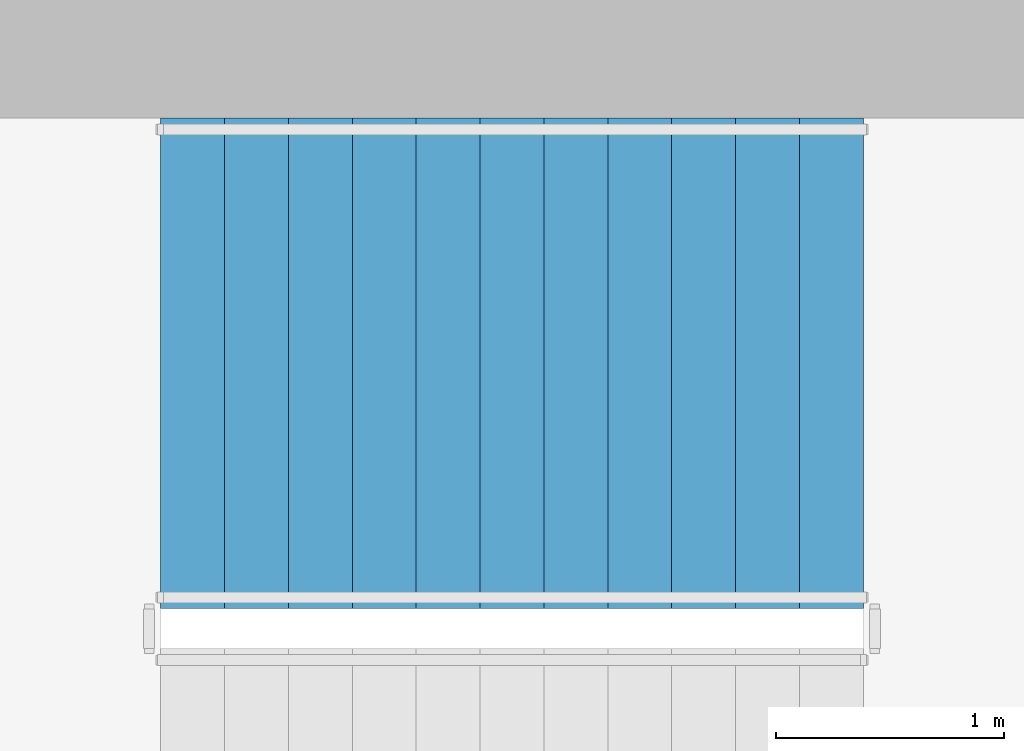
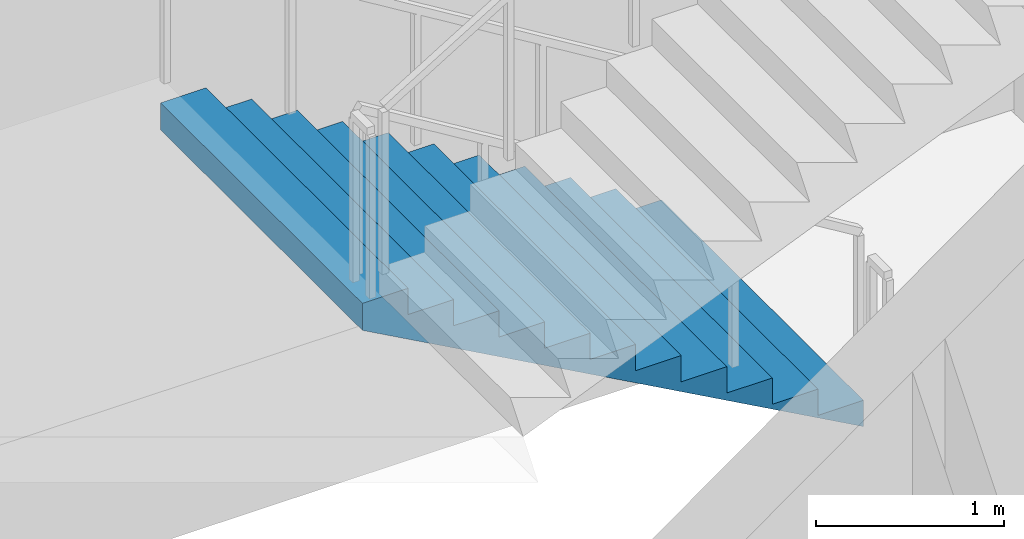
# One storey, part 10 of 16: 1 stair flight, 1 element without a shape of its own.
"""IFC4 building model written with IfcOpenShell, lengths in metres."""

from ifc_helpers import new_model, si_unit, direction, frame, origin, place, context, subcontext, project, spatial, triangles, material, type_object, element, aggregate, save


model = new_model("IFC4")

# Units and contexts
model_context = context("Model", 3, precision=1e-05, world=origin(), true_north=direction((0.0, 1.0)))
body_context = subcontext(model_context, "Body", "Model", "MODEL_VIEW")
ifc_project = project(units=[si_unit("LENGTHUNIT", "METRE"), si_unit("AREAUNIT", "SQUARE_METRE"), si_unit("VOLUMEUNIT", "CUBIC_METRE"), si_unit("PLANEANGLEUNIT", "RADIAN"), si_unit("MASSUNIT", "GRAM", prefix="KILO")], contexts=[model_context])

# Site, building, storey
site_placement = place(None, origin())
site = spatial("IfcSite", under=ifc_project, at=site_placement, CompositionType="ELEMENT")
building_placement = place(site_placement, origin())
building = spatial("IfcBuilding", under=site, at=building_placement, Name="Cypress Arch Tower", CompositionType="ELEMENT")
storey_placement = place(building_placement, frame((0.0, 0.0, 168.699951171875)))
storey = spatial("IfcBuildingStorey", under=building, at=storey_placement, Name="L36", CompositionType="ELEMENT", Elevation=168.699951171875)

# Stair, stair flight
ifc_material_1 = material(Name="Concrete C40/50", Category="concrete")
stair_type = type_object("IfcStairType", Name="Exit stair ES1708-215", PredefinedType="HALF_TURN_STAIR", material=ifc_material_1)
stair_placement = place(storey_placement, origin())
stair = element("IfcStair", 1, at=stair_placement, inside=storey, type_object=stair_type, Name="L36 Exit stair B", PredefinedType="HALF_TURN_STAIR")
ifc_material_2 = material(Name="Concrete C40/50", Category="concrete")
stair_flight_type = type_object("IfcStairFlightType", Name="Exit stair flight ES1708-215", PredefinedType="STRAIGHT", material=ifc_material_2)
stair_flight_placement = place(storey_placement, frame((-22.27490234375, 13.72509765625, 0.0), z_axis=(0.0, 0.0, 1.0), x_axis=(-1.0, 0.0, 0.0)))
stair_flight = element("IfcStairFlight", 2, at=stair_flight_placement, type_object=stair_flight_type, Name="B flight 1", NumberOfRisers=12, NumberOfTreads=11, PredefinedType="STRAIGHT", RiserHeight=0.170833333, TreadLength=0.28, context=body_context, shape_type="Tessellation", body=[
    triangles([(0.0, -1.074951171875, 0.0), (0.000244140625, -1.074951171875, 0.01904296875), (0.000244140625, -1.074951171875, 0.0380859375), (0.00048828125, -1.074951171875, 0.056884765625), (0.00048828125, -1.074951171875, 0.075927734375), (0.00048828125, -1.074951171875, 0.094970703125), (0.00048828125, -1.074951171875, 0.114013671875), (0.000244140625, -1.074951171875, 0.1328125), (0.000244140625, -1.074951171875, 0.15185546875), (0.0, -1.074951171875, 0.1708984375), (0.280029296875, -1.074951171875, 0.1708984375), (0.280029296875, -1.074951171875, 0.341552734375), (0.56005859375, -1.074951171875, 0.341552734375), (0.56005859375, -1.074951171875, 0.512451171875), (0.840087890625, -1.074951171875, 0.512451171875), (0.840087890625, -1.074951171875, 0.683349609375), (1.1201171875, -1.074951171875, 0.683349609375), (1.1201171875, -1.074951171875, 0.854248046875), (1.39990234375, -1.074951171875, 0.854248046875), (1.39990234375, -1.074951171875, 1.02490234375), (1.679931640625, -1.074951171875, 1.02490234375), (1.679931640625, -1.074951171875, 1.19580078125), (1.9599609375, -1.074951171875, 1.19580078125), (1.9599609375, -1.074951171875, 1.36669921875), (2.239990234375, -1.074951171875, 1.36669921875), (2.239990234375, -1.074951171875, 1.53759765625), (2.52001953125, -1.074951171875, 1.53759765625), (2.52001953125, -1.074951171875, 1.708251953125), (2.800048828125, -1.074951171875, 1.708251953125), (2.800048828125, -1.074951171875, 1.879150390625), (3.080078125, -1.074951171875, 1.879150390625), (3.079833984375, -1.074951171875, 1.859619140625), (3.079833984375, -1.074951171875, 1.840087890625), (3.07958984375, -1.074951171875, 1.820556640625), (3.07958984375, -1.074951171875, 1.801025390625), (3.07958984375, -1.074951171875, 1.78173828125), (3.07958984375, -1.074951171875, 1.76220703125), (3.079833984375, -1.074951171875, 1.74267578125), (3.079833984375, -1.074951171875, 1.72314453125), (3.080078125, -1.074951171875, 1.70361328125), (3.080078125, 1.074951171875, 1.70361328125), (3.079833984375, 1.074951171875, 1.72314453125), (3.079833984375, 1.074951171875, 1.74267578125), (3.07958984375, 1.074951171875, 1.76220703125), (3.07958984375, 1.074951171875, 1.78173828125), (3.07958984375, 1.074951171875, 1.801025390625), (3.07958984375, 1.074951171875, 1.820556640625), (3.079833984375, 1.074951171875, 1.840087890625), (3.079833984375, 1.074951171875, 1.859619140625), (3.080078125, 1.074951171875, 1.879150390625), (2.800048828125, 1.074951171875, 1.879150390625), (2.800048828125, 1.074951171875, 1.708251953125), (2.52001953125, 1.074951171875, 1.708251953125), (2.52001953125, 1.074951171875, 1.53759765625), (2.239990234375, 1.074951171875, 1.53759765625), (2.239990234375, 1.074951171875, 1.36669921875), (1.9599609375, 1.074951171875, 1.36669921875), (1.9599609375, 1.074951171875, 1.19580078125), (1.679931640625, 1.074951171875, 1.19580078125), (1.679931640625, 1.074951171875, 1.02490234375), (1.39990234375, 1.074951171875, 1.02490234375), (1.39990234375, 1.074951171875, 0.854248046875), (1.1201171875, 1.074951171875, 0.854248046875), (1.1201171875, 1.074951171875, 0.683349609375), (0.840087890625, 1.074951171875, 0.683349609375), (0.840087890625, 1.074951171875, 0.512451171875), (0.56005859375, 1.074951171875, 0.512451171875), (0.56005859375, 1.074951171875, 0.341552734375), (0.280029296875, 1.074951171875, 0.341552734375), (0.280029296875, 1.074951171875, 0.1708984375), (0.0, 1.074951171875, 0.1708984375), (0.000244140625, 1.074951171875, 0.15185546875), (0.000244140625, 1.074951171875, 0.1328125), (0.00048828125, 1.074951171875, 0.114013671875), (0.00048828125, 1.074951171875, 0.094970703125), (0.00048828125, 1.074951171875, 0.075927734375), (0.00048828125, 1.074951171875, 0.056884765625), (0.000244140625, 1.074951171875, 0.0380859375), (0.000244140625, 1.074951171875, 0.01904296875), (0.0, 1.074951171875, 0.0)], [[40, 39, 30], [39, 38, 30], [38, 37, 30], [37, 36, 30], [36, 35, 30], [35, 34, 30], [34, 33, 30], [33, 32, 30], [32, 31, 30], [19, 18, 17], [27, 26, 25], [25, 24, 23], [23, 22, 21], [17, 16, 15], [15, 14, 13], [10, 9, 11], [9, 8, 11], [8, 7, 11], [7, 6, 11], [6, 5, 11], [5, 4, 11], [4, 3, 11], [3, 2, 11], [2, 1, 11], [29, 28, 27], [21, 20, 19], [13, 12, 11], [40, 30, 29], [40, 29, 27], [40, 27, 25], [40, 25, 23], [40, 23, 21], [40, 21, 19], [40, 19, 17], [40, 17, 15], [40, 15, 13], [1, 40, 13], [13, 11, 1], [41, 51, 42], [42, 51, 43], [43, 51, 44], [44, 51, 45], [45, 51, 46], [46, 51, 47], [47, 51, 48], [48, 51, 49], [49, 51, 50], [62, 64, 63], [54, 56, 55], [56, 58, 57], [58, 60, 59], [64, 66, 65], [66, 68, 67], [71, 70, 72], [72, 70, 73], [73, 70, 74], [74, 70, 75], [75, 70, 76], [76, 70, 77], [77, 70, 78], [78, 70, 79], [79, 70, 80], [52, 54, 53], [60, 62, 61], [68, 70, 69], [41, 52, 51], [41, 54, 52], [41, 56, 54], [41, 58, 56], [41, 60, 58], [41, 62, 60], [41, 64, 62], [41, 66, 64], [41, 68, 66], [80, 68, 41], [68, 80, 70], [41, 42, 39], [41, 39, 40], [42, 43, 38], [42, 38, 39], [43, 44, 37], [43, 37, 38], [44, 45, 36], [44, 36, 37], [45, 46, 35], [45, 35, 36], [46, 47, 34], [46, 34, 35], [47, 48, 33], [47, 33, 34], [48, 49, 32], [48, 32, 33], [49, 50, 31], [49, 31, 32], [50, 51, 30], [50, 30, 31], [51, 52, 29], [51, 29, 30], [52, 53, 28], [52, 28, 29], [53, 54, 27], [53, 27, 28], [54, 55, 26], [54, 26, 27], [55, 56, 25], [55, 25, 26], [56, 57, 24], [56, 24, 25], [57, 58, 23], [57, 23, 24], [58, 59, 22], [58, 22, 23], [59, 60, 21], [59, 21, 22], [60, 61, 20], [60, 20, 21], [61, 62, 19], [61, 19, 20], [62, 63, 18], [62, 18, 19], [63, 64, 17], [63, 17, 18], [64, 65, 16], [64, 16, 17], [65, 66, 15], [65, 15, 16], [66, 67, 14], [66, 14, 15], [67, 68, 13], [67, 13, 14], [68, 69, 12], [68, 12, 13], [69, 70, 11], [69, 11, 12], [70, 71, 10], [70, 10, 11], [71, 72, 9], [71, 9, 10], [72, 73, 8], [72, 8, 9], [73, 74, 7], [73, 7, 8], [74, 75, 6], [74, 6, 7], [75, 76, 5], [75, 5, 6], [76, 77, 4], [76, 4, 5], [77, 78, 3], [77, 3, 4], [78, 79, 2], [78, 2, 3], [79, 80, 1], [79, 1, 2], [80, 41, 40], [80, 40, 1]], closed=True),
])
aggregate(stair, [stair_flight])

save(model, "model.ifc")
